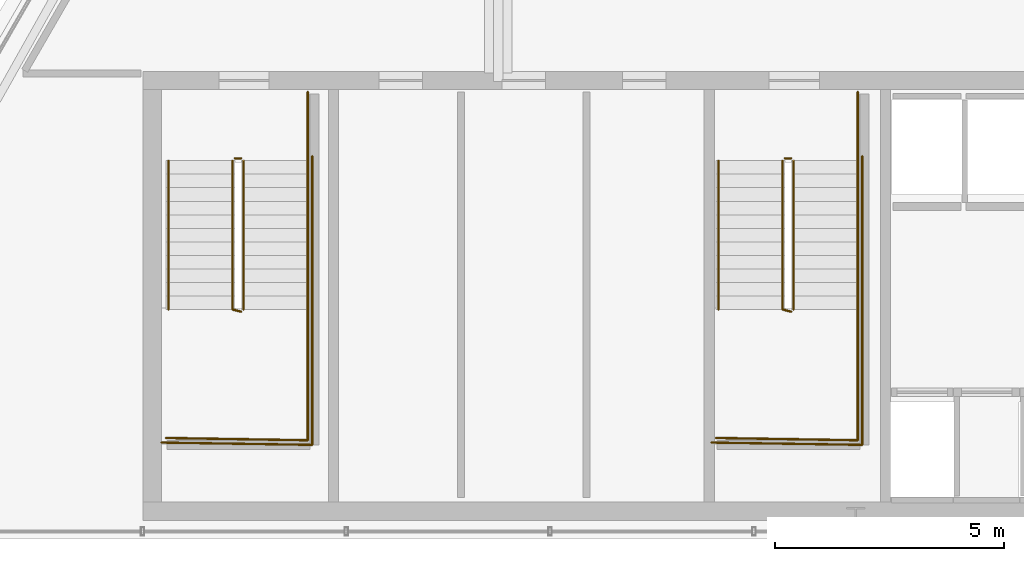
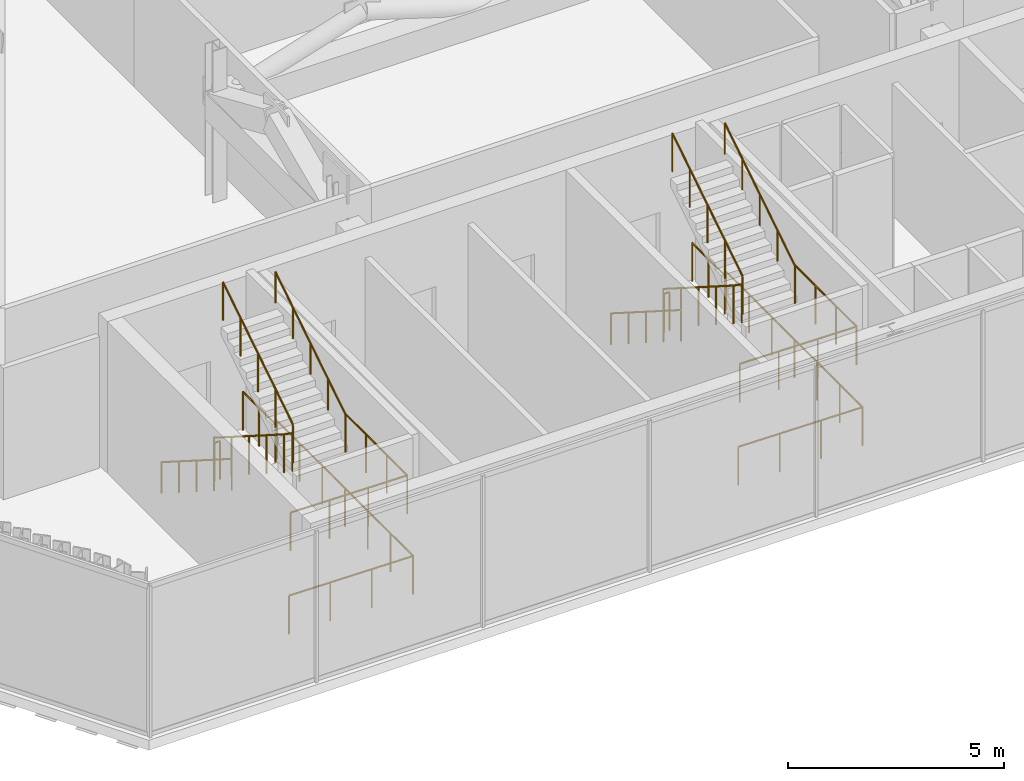
# One storey, part 30 of 32: 16 railings.
"""IFC4 building model written with IfcOpenShell, lengths in metres."""

from ifc_helpers import new_model, si_unit, direction, frame, origin, origin_2d, place, context, subcontext, project, spatial, circle, extrude, material, layer, layer_set, type_object, element, save


model = new_model("IFC4")

# Units and contexts
model_context = context("Model", 3, precision=1e-05, world=origin(), true_north=direction((0.0, 1.0)))
body_context = subcontext(model_context, "Body", "Model", "MODEL_VIEW")
ifc_project = project(units=[si_unit("LENGTHUNIT", "METRE"), si_unit("AREAUNIT", "SQUARE_METRE"), si_unit("VOLUMEUNIT", "CUBIC_METRE"), si_unit("PLANEANGLEUNIT", "RADIAN"), si_unit("MASSUNIT", "GRAM", prefix="KILO")], contexts=[model_context])

# Site, building, storey
site_placement = place(None, origin())
site = spatial("IfcSite", under=ifc_project, at=site_placement, CompositionType="ELEMENT")
building_placement = place(site_placement, origin())
building = spatial("IfcBuilding", under=site, at=building_placement, Name="Ndaravel Arena Tower", CompositionType="ELEMENT")
storey_placement = place(building_placement, frame((0.0, 0.0, 278.800048828125)))
storey = spatial("IfcBuildingStorey", under=building, at=storey_placement, Name="L68", CompositionType="ELEMENT", Elevation=278.800048828125)

# Railings
ifc_material_1 = material(Name="Steel S355", Category="steel")
ifc_layer_1 = layer(ifc_material_1, 0.06005859375)
ifc_layer_set_1 = layer_set([ifc_layer_1], Name="Steel S355")
railing_type_1 = type_object("IfcRailingType", Name="RAIL-STAIR-GD1100", PredefinedType="GUARDRAIL", material=ifc_layer_set_1)
railing_1_placement = place(storey_placement, frame((28.39990234375, 13.25, 0.1875)))
element("IfcRailing", 1, at=railing_1_placement, inside=storey, type_object=railing_type_1, Name="L68 ST-1 stair guard 1", PredefinedType="GUARDRAIL", context=body_context, shape_type="SweptSolid", body=[
    extrude(circle(Radius=0.02392578125, at=origin_2d()), frame((0.0, 0.0, 1.076171875), z_axis=(0.0, -0.843964631203, 0.536398826693), x_axis=(1.0, 0.0, 0.0)), (0.0, 0.0, 1.0), 3.844970703125),
    extrude(circle(Radius=0.02392578125, at=origin_2d()), frame((0.0, -3.2451171875, 3.138671875), z_axis=(0.967379469692, -0.253331722487, 0.0), x_axis=(0.253331722487, 0.967379469692, 0.0)), (0.0, 0.0, 1.0), 0.196533203125),
    extrude(circle(Radius=0.02099609375, at=origin_2d()), origin(), (0.0, 0.0, 1.0), 1.052001953125),
    extrude(circle(Radius=0.02099609375, at=origin_2d()), frame((0.0, -0.811279296875, 0.515625)), (0.0, 0.0, 1.0), 1.052001953125),
    extrude(circle(Radius=0.02099609375, at=origin_2d()), frame((0.0, -1.62255859375, 1.03125)), (0.0, 0.0, 1.0), 1.052001953125),
    extrude(circle(Radius=0.02099609375, at=origin_2d()), frame((0.0, -2.433837890625, 1.546875)), (0.0, 0.0, 1.0), 1.052001953125),
    extrude(circle(Radius=0.02099609375, at=origin_2d()), frame((0.0, -3.2451171875, 2.0625)), (0.0, 0.0, 1.0), 1.052001953125),
    extrude(circle(Radius=0.02099609375, at=origin_2d()), frame((0.190185546875, -3.294921875, 2.0625)), (0.0, 0.0, 1.0), 1.052001953125),
])
railing_2_placement = place(storey_placement, frame((30.0400390625, 10.0048828125, 2.25)))
element("IfcRailing", 2, at=railing_2_placement, inside=storey, type_object=railing_type_1, Name="L68 ST-1 stair guard 2", PredefinedType="GUARDRAIL", context=body_context, shape_type="SweptSolid", body=[
    extrude(circle(Radius=0.02392578125, at=origin_2d()), frame((0.0, 0.0, 1.076171875), z_axis=(0.0, -1.0, 0.0), x_axis=(1.0, 0.0, 0.0)), (0.0, 0.0, 1.0), 2.85498046875),
    extrude(circle(Radius=0.02392578125, at=origin_2d()), frame((0.0, -2.85498046875, 1.076171875), z_axis=(-0.999868861343, 0.016194447071, 0.0), x_axis=(-0.016194447071, -0.999868861343, 0.0)), (0.0, 0.0, 1.0), 3.090576171875),
    extrude(circle(Radius=0.02099609375, at=origin_2d()), origin(), (0.0, 0.0, 1.0), 1.052001953125),
    extrude(circle(Radius=0.02099609375, at=origin_2d()), frame((0.0, -0.95166015625, 0.0)), (0.0, 0.0, 1.0), 1.052001953125),
    extrude(circle(Radius=0.02099609375, at=origin_2d()), frame((0.0, -1.9033203125, 0.0)), (0.0, 0.0, 1.0), 1.052001953125),
    extrude(circle(Radius=0.02099609375, at=origin_2d()), frame((0.0, -2.85498046875, 0.0)), (0.0, 0.0, 1.0), 1.052001953125),
    extrude(circle(Radius=0.02099609375, at=origin_2d()), frame((-1.030029296875, -2.83837890625, 0.0)), (0.0, 0.0, 1.0), 1.052001953125),
    extrude(circle(Radius=0.02099609375, at=origin_2d()), frame((-2.06005859375, -2.821533203125, 0.0)), (0.0, 0.0, 1.0), 1.052001953125),
    extrude(circle(Radius=0.02099609375, at=origin_2d()), frame((-3.090087890625, -2.804931640625, 0.0)), (0.0, 0.0, 1.0), 1.052001953125),
])
railing_3_placement = place(storey_placement, frame((28.639892578125, 10.0048828125, 2.4375)))
element("IfcRailing", 3, at=railing_3_placement, inside=storey, type_object=railing_type_1, Name="L68 ST-1 stair guard 3", PredefinedType="GUARDRAIL", context=body_context, shape_type="SweptSolid", body=[
    extrude(circle(Radius=0.02392578125, at=origin_2d()), frame((0.0, 0.0, 1.076171875), z_axis=(0.0, 0.843964631203, 0.536398826693), x_axis=(-1.0, 0.0, 0.0)), (0.0, 0.0, 1.0), 3.844970703125),
    extrude(circle(Radius=0.02099609375, at=origin_2d()), origin(), (0.0, 0.0, 1.0), 1.052001953125),
    extrude(circle(Radius=0.02099609375, at=origin_2d()), frame((0.0, 0.811279296875, 0.515625)), (0.0, 0.0, 1.0), 1.052001953125),
    extrude(circle(Radius=0.02099609375, at=origin_2d()), frame((0.0, 1.62255859375, 1.03125)), (0.0, 0.0, 1.0), 1.052001953125),
    extrude(circle(Radius=0.02099609375, at=origin_2d()), frame((0.0, 2.433837890625, 1.546875)), (0.0, 0.0, 1.0), 1.052001953125),
    extrude(circle(Radius=0.02099609375, at=origin_2d()), frame((0.0, 3.2451171875, 2.0625)), (0.0, 0.0, 1.0), 1.052001953125),
])
railing_4_placement = place(storey_placement, frame((28.449951171875, 13.300048828125, 0.0)))
element("IfcRailing", 4, at=railing_4_placement, inside=storey, type_object=railing_type_1, Name="L68 ST-1 stair guard 4", PredefinedType="GUARDRAIL", context=body_context, shape_type="SweptSolid", body=[
    extrude(circle(Radius=0.02392578125, at=origin_2d()), frame((0.0, 0.0, 1.076171875), z_axis=(1.0, 0.0, 0.0), x_axis=(0.0, 1.0, 0.0)), (0.0, 0.0, 1.0), 0.14013671875),
    extrude(circle(Radius=0.02099609375, at=origin_2d()), origin(), (0.0, 0.0, 1.0), 1.052001953125),
    extrude(circle(Radius=0.02099609375, at=origin_2d()), frame((0.14013671875, 0.0, 0.0)), (0.0, 0.0, 1.0), 1.052001953125),
])
railing_5_placement = place(storey_placement, frame((30.0400390625, 14.75, 0.0)))
element("IfcRailing", 5, at=railing_5_placement, inside=storey, type_object=railing_type_1, Name="L68 ST-1 stair guard 5", PredefinedType="GUARDRAIL", context=body_context, shape_type="SweptSolid", body=[
    extrude(circle(Radius=0.02392578125, at=origin_2d()), frame((0.0, 0.0, 1.076171875), z_axis=(0.0, -1.0, 0.0), x_axis=(1.0, 0.0, 0.0)), (0.0, 0.0, 1.0), 1.5),
    extrude(circle(Radius=0.02099609375, at=origin_2d()), origin(), (0.0, 0.0, 1.0), 1.052001953125),
    extrude(circle(Radius=0.02099609375, at=origin_2d()), frame((0.0, -0.75, 0.0)), (0.0, 0.0, 1.0), 1.052001953125),
    extrude(circle(Radius=0.02099609375, at=origin_2d()), frame((0.0, -1.5, 0.0)), (0.0, 0.0, 1.0), 1.052001953125),
])
railing_6_placement = place(storey_placement, frame((30.139892578125, 13.35009765625, 0.0)))
element("IfcRailing", 6, at=railing_6_placement, inside=storey, type_object=railing_type_1, Name="L68 ST-1 stair guard 6", PredefinedType="GUARDRAIL", context=body_context, shape_type="SweptSolid", body=[
    extrude(circle(Radius=0.02392578125, at=origin_2d()), frame((0.0, 0.0, 1.076171875), z_axis=(0.0, -1.0, 0.0), x_axis=(1.0, 0.0, 0.0)), (0.0, 0.0, 1.0), 6.300048828125),
    extrude(circle(Radius=0.02392578125, at=origin_2d()), frame((0.0, -6.300048828125, 1.076171875), z_axis=(-0.999884296952, 0.015211597839, 0.0), x_axis=(-0.015211597839, -0.999884296952, 0.0)), (0.0, 0.0, 1.0), 3.290283203125),
    extrude(circle(Radius=0.02099609375, at=origin_2d()), origin(), (0.0, 0.0, 1.0), 1.052001953125),
    extrude(circle(Radius=0.02099609375, at=origin_2d()), frame((0.0, -1.050048828125, 0.0)), (0.0, 0.0, 1.0), 1.052001953125),
    extrude(circle(Radius=0.02099609375, at=origin_2d()), frame((0.0, -2.10009765625, 0.0)), (0.0, 0.0, 1.0), 1.052001953125),
    extrude(circle(Radius=0.02099609375, at=origin_2d()), frame((0.0, -3.14990234375, 0.0)), (0.0, 0.0, 1.0), 1.052001953125),
    extrude(circle(Radius=0.02099609375, at=origin_2d()), frame((0.0, -4.199951171875, 0.0)), (0.0, 0.0, 1.0), 1.052001953125),
    extrude(circle(Radius=0.02099609375, at=origin_2d()), frame((0.0, -5.25, 0.0)), (0.0, 0.0, 1.0), 1.052001953125),
    extrude(circle(Radius=0.02099609375, at=origin_2d()), frame((0.0, -6.300048828125, 0.0)), (0.0, 0.0, 1.0), 1.052001953125),
    extrude(circle(Radius=0.02099609375, at=origin_2d()), frame((-1.0966796875, -6.283447265625, 0.0)), (0.0, 0.0, 1.0), 1.052001953125),
    extrude(circle(Radius=0.02099609375, at=origin_2d()), frame((-2.193115234375, -6.2666015625, 0.0)), (0.0, 0.0, 1.0), 1.052001953125),
    extrude(circle(Radius=0.02099609375, at=origin_2d()), frame((-3.289794921875, -6.25, 0.0)), (0.0, 0.0, 1.0), 1.052001953125),
])
railing_7_placement = place(storey_placement, frame((40.39990234375, 13.25, 0.1875)))
element("IfcRailing", 7, at=railing_7_placement, inside=storey, type_object=railing_type_1, Name="L68 ST-2 stair guard 1", PredefinedType="GUARDRAIL", context=body_context, shape_type="SweptSolid", body=[
    extrude(circle(Radius=0.02392578125, at=origin_2d()), frame((0.0, 0.0, 1.076171875), z_axis=(0.0, -0.843964631203, 0.536398826693), x_axis=(1.0, 0.0, 0.0)), (0.0, 0.0, 1.0), 3.844970703125),
    extrude(circle(Radius=0.02392578125, at=origin_2d()), frame((0.0, -3.2451171875, 3.138671875), z_axis=(0.967379469692, -0.253331722487, 0.0), x_axis=(0.253331722487, 0.967379469692, 0.0)), (0.0, 0.0, 1.0), 0.196533203125),
    extrude(circle(Radius=0.02099609375, at=origin_2d()), origin(), (0.0, 0.0, 1.0), 1.052001953125),
    extrude(circle(Radius=0.02099609375, at=origin_2d()), frame((0.0, -0.811279296875, 0.515625)), (0.0, 0.0, 1.0), 1.052001953125),
    extrude(circle(Radius=0.02099609375, at=origin_2d()), frame((0.0, -1.62255859375, 1.03125)), (0.0, 0.0, 1.0), 1.052001953125),
    extrude(circle(Radius=0.02099609375, at=origin_2d()), frame((0.0, -2.433837890625, 1.546875)), (0.0, 0.0, 1.0), 1.052001953125),
    extrude(circle(Radius=0.02099609375, at=origin_2d()), frame((0.0, -3.2451171875, 2.0625)), (0.0, 0.0, 1.0), 1.052001953125),
    extrude(circle(Radius=0.02099609375, at=origin_2d()), frame((0.190185546875, -3.294921875, 2.0625)), (0.0, 0.0, 1.0), 1.052001953125),
])
railing_8_placement = place(storey_placement, frame((42.0400390625, 10.0048828125, 2.25)))
element("IfcRailing", 8, at=railing_8_placement, inside=storey, type_object=railing_type_1, Name="L68 ST-2 stair guard 2", PredefinedType="GUARDRAIL", context=body_context, shape_type="SweptSolid", body=[
    extrude(circle(Radius=0.02392578125, at=origin_2d()), frame((0.0, 0.0, 1.076171875), z_axis=(0.0, -1.0, 0.0), x_axis=(1.0, 0.0, 0.0)), (0.0, 0.0, 1.0), 2.85498046875),
    extrude(circle(Radius=0.02392578125, at=origin_2d()), frame((0.0, -2.85498046875, 1.076171875), z_axis=(-0.999868861343, 0.016194447071, 0.0), x_axis=(-0.016194447071, -0.999868861343, 0.0)), (0.0, 0.0, 1.0), 3.090576171875),
    extrude(circle(Radius=0.02099609375, at=origin_2d()), origin(), (0.0, 0.0, 1.0), 1.052001953125),
    extrude(circle(Radius=0.02099609375, at=origin_2d()), frame((0.0, -0.95166015625, 0.0)), (0.0, 0.0, 1.0), 1.052001953125),
    extrude(circle(Radius=0.02099609375, at=origin_2d()), frame((0.0, -1.9033203125, 0.0)), (0.0, 0.0, 1.0), 1.052001953125),
    extrude(circle(Radius=0.02099609375, at=origin_2d()), frame((0.0, -2.85498046875, 0.0)), (0.0, 0.0, 1.0), 1.052001953125),
    extrude(circle(Radius=0.02099609375, at=origin_2d()), frame((-1.030029296875, -2.83837890625, 0.0)), (0.0, 0.0, 1.0), 1.052001953125),
    extrude(circle(Radius=0.02099609375, at=origin_2d()), frame((-2.06005859375, -2.821533203125, 0.0)), (0.0, 0.0, 1.0), 1.052001953125),
    extrude(circle(Radius=0.02099609375, at=origin_2d()), frame((-3.090087890625, -2.804931640625, 0.0)), (0.0, 0.0, 1.0), 1.052001953125),
])
railing_9_placement = place(storey_placement, frame((40.639892578125, 10.0048828125, 2.4375)))
element("IfcRailing", 9, at=railing_9_placement, inside=storey, type_object=railing_type_1, Name="L68 ST-2 stair guard 3", PredefinedType="GUARDRAIL", context=body_context, shape_type="SweptSolid", body=[
    extrude(circle(Radius=0.02392578125, at=origin_2d()), frame((0.0, 0.0, 1.076171875), z_axis=(0.0, 0.843964631203, 0.536398826693), x_axis=(-1.0, 0.0, 0.0)), (0.0, 0.0, 1.0), 3.844970703125),
    extrude(circle(Radius=0.02099609375, at=origin_2d()), origin(), (0.0, 0.0, 1.0), 1.052001953125),
    extrude(circle(Radius=0.02099609375, at=origin_2d()), frame((0.0, 0.811279296875, 0.515625)), (0.0, 0.0, 1.0), 1.052001953125),
    extrude(circle(Radius=0.02099609375, at=origin_2d()), frame((0.0, 1.62255859375, 1.03125)), (0.0, 0.0, 1.0), 1.052001953125),
    extrude(circle(Radius=0.02099609375, at=origin_2d()), frame((0.0, 2.433837890625, 1.546875)), (0.0, 0.0, 1.0), 1.052001953125),
    extrude(circle(Radius=0.02099609375, at=origin_2d()), frame((0.0, 3.2451171875, 2.0625)), (0.0, 0.0, 1.0), 1.052001953125),
])
railing_10_placement = place(storey_placement, frame((40.449951171875, 13.300048828125, 0.0)))
element("IfcRailing", 10, at=railing_10_placement, inside=storey, type_object=railing_type_1, Name="L68 ST-2 stair guard 4", PredefinedType="GUARDRAIL", context=body_context, shape_type="SweptSolid", body=[
    extrude(circle(Radius=0.02392578125, at=origin_2d()), frame((0.0, 0.0, 1.076171875), z_axis=(1.0, 0.0, 0.0), x_axis=(0.0, 1.0, 0.0)), (0.0, 0.0, 1.0), 0.14013671875),
    extrude(circle(Radius=0.02099609375, at=origin_2d()), origin(), (0.0, 0.0, 1.0), 1.052001953125),
    extrude(circle(Radius=0.02099609375, at=origin_2d()), frame((0.14013671875, 0.0, 0.0)), (0.0, 0.0, 1.0), 1.052001953125),
])
railing_11_placement = place(storey_placement, frame((42.0400390625, 14.75, 0.0)))
element("IfcRailing", 11, at=railing_11_placement, inside=storey, type_object=railing_type_1, Name="L68 ST-2 stair guard 5", PredefinedType="GUARDRAIL", context=body_context, shape_type="SweptSolid", body=[
    extrude(circle(Radius=0.02392578125, at=origin_2d()), frame((0.0, 0.0, 1.076171875), z_axis=(0.0, -1.0, 0.0), x_axis=(1.0, 0.0, 0.0)), (0.0, 0.0, 1.0), 1.5),
    extrude(circle(Radius=0.02099609375, at=origin_2d()), origin(), (0.0, 0.0, 1.0), 1.052001953125),
    extrude(circle(Radius=0.02099609375, at=origin_2d()), frame((0.0, -0.75, 0.0)), (0.0, 0.0, 1.0), 1.052001953125),
    extrude(circle(Radius=0.02099609375, at=origin_2d()), frame((0.0, -1.5, 0.0)), (0.0, 0.0, 1.0), 1.052001953125),
])
railing_12_placement = place(storey_placement, frame((42.139892578125, 13.35009765625, 0.0)))
element("IfcRailing", 12, at=railing_12_placement, inside=storey, type_object=railing_type_1, Name="L68 ST-2 stair guard 6", PredefinedType="GUARDRAIL", context=body_context, shape_type="SweptSolid", body=[
    extrude(circle(Radius=0.02392578125, at=origin_2d()), frame((0.0, 0.0, 1.076171875), z_axis=(0.0, -1.0, 0.0), x_axis=(1.0, 0.0, 0.0)), (0.0, 0.0, 1.0), 6.300048828125),
    extrude(circle(Radius=0.02392578125, at=origin_2d()), frame((0.0, -6.300048828125, 1.076171875), z_axis=(-0.999884296952, 0.015211597839, 0.0), x_axis=(-0.015211597839, -0.999884296952, 0.0)), (0.0, 0.0, 1.0), 3.290283203125),
    extrude(circle(Radius=0.02099609375, at=origin_2d()), origin(), (0.0, 0.0, 1.0), 1.052001953125),
    extrude(circle(Radius=0.02099609375, at=origin_2d()), frame((0.0, -1.050048828125, 0.0)), (0.0, 0.0, 1.0), 1.052001953125),
    extrude(circle(Radius=0.02099609375, at=origin_2d()), frame((0.0, -2.10009765625, 0.0)), (0.0, 0.0, 1.0), 1.052001953125),
    extrude(circle(Radius=0.02099609375, at=origin_2d()), frame((0.0, -3.14990234375, 0.0)), (0.0, 0.0, 1.0), 1.052001953125),
    extrude(circle(Radius=0.02099609375, at=origin_2d()), frame((0.0, -4.199951171875, 0.0)), (0.0, 0.0, 1.0), 1.052001953125),
    extrude(circle(Radius=0.02099609375, at=origin_2d()), frame((0.0, -5.25, 0.0)), (0.0, 0.0, 1.0), 1.052001953125),
    extrude(circle(Radius=0.02099609375, at=origin_2d()), frame((0.0, -6.300048828125, 0.0)), (0.0, 0.0, 1.0), 1.052001953125),
    extrude(circle(Radius=0.02099609375, at=origin_2d()), frame((-1.0966796875, -6.283447265625, 0.0)), (0.0, 0.0, 1.0), 1.052001953125),
    extrude(circle(Radius=0.02099609375, at=origin_2d()), frame((-2.193115234375, -6.2666015625, 0.0)), (0.0, 0.0, 1.0), 1.052001953125),
    extrude(circle(Radius=0.02099609375, at=origin_2d()), frame((-3.289794921875, -6.25, 0.0)), (0.0, 0.0, 1.0), 1.052001953125),
])
ifc_material_2 = material(Name="Steel S355", Category="steel")
ifc_layer_2 = layer(ifc_material_2, 0.050048828125)
ifc_layer_set_2 = layer_set([ifc_layer_2], Name="Steel S355")
railing_type_2 = type_object("IfcRailingType", Name="RAIL-STAIR-HR920", PredefinedType="HANDRAIL", material=ifc_layer_set_2)
railing_13_placement = place(storey_placement, frame((27.0, 13.25, 0.1875)))
element("IfcRailing", 13, at=railing_13_placement, inside=storey, type_object=railing_type_2, Name="L68 ST-1 stair handrail 1", PredefinedType="HANDRAIL", context=body_context, shape_type="SweptSolid", body=[
    extrude(circle(Radius=0.02392578125, at=origin_2d()), frame((0.0, 0.0, 0.8759765625), z_axis=(0.0, -0.843964631203, 0.536398826693), x_axis=(1.0, 0.0, 0.0)), (0.0, 0.0, 1.0), 3.844970703125),
    extrude(circle(Radius=0.02099609375, at=origin_2d()), origin(), (0.0, 0.0, 1.0), 0.851806640625),
    extrude(circle(Radius=0.02099609375, at=origin_2d()), frame((0.0, -0.811279296875, 0.515625)), (0.0, 0.0, 1.0), 0.851806640625),
    extrude(circle(Radius=0.02099609375, at=origin_2d()), frame((0.0, -1.62255859375, 1.03125)), (0.0, 0.0, 1.0), 0.851806640625),
    extrude(circle(Radius=0.02099609375, at=origin_2d()), frame((0.0, -2.433837890625, 1.546875)), (0.0, 0.0, 1.0), 0.851806640625),
    extrude(circle(Radius=0.02099609375, at=origin_2d()), frame((0.0, -3.2451171875, 2.0625)), (0.0, 0.0, 1.0), 0.851806640625),
])
railing_14_placement = place(storey_placement, frame((30.0400390625, 10.0048828125, 2.4375)))
element("IfcRailing", 14, at=railing_14_placement, inside=storey, type_object=railing_type_2, Name="L68 ST-1 stair handrail 2", PredefinedType="HANDRAIL", context=body_context, shape_type="SweptSolid", body=[
    extrude(circle(Radius=0.02392578125, at=origin_2d()), frame((0.0, 0.0, 0.8759765625), z_axis=(0.0, 0.843964631203, 0.536398826693), x_axis=(-1.0, 0.0, 0.0)), (0.0, 0.0, 1.0), 3.844970703125),
    extrude(circle(Radius=0.02099609375, at=origin_2d()), origin(), (0.0, 0.0, 1.0), 0.851806640625),
    extrude(circle(Radius=0.02099609375, at=origin_2d()), frame((0.0, 0.811279296875, 0.515625)), (0.0, 0.0, 1.0), 0.851806640625),
    extrude(circle(Radius=0.02099609375, at=origin_2d()), frame((0.0, 1.62255859375, 1.03125)), (0.0, 0.0, 1.0), 0.851806640625),
    extrude(circle(Radius=0.02099609375, at=origin_2d()), frame((0.0, 2.433837890625, 1.546875)), (0.0, 0.0, 1.0), 0.851806640625),
    extrude(circle(Radius=0.02099609375, at=origin_2d()), frame((0.0, 3.2451171875, 2.0625)), (0.0, 0.0, 1.0), 0.851806640625),
])
railing_15_placement = place(storey_placement, frame((39.0, 13.25, 0.1875)))
element("IfcRailing", 15, at=railing_15_placement, inside=storey, type_object=railing_type_2, Name="L68 ST-2 stair handrail 1", PredefinedType="HANDRAIL", context=body_context, shape_type="SweptSolid", body=[
    extrude(circle(Radius=0.02392578125, at=origin_2d()), frame((0.0, 0.0, 0.8759765625), z_axis=(0.0, -0.843964631203, 0.536398826693), x_axis=(1.0, 0.0, 0.0)), (0.0, 0.0, 1.0), 3.844970703125),
    extrude(circle(Radius=0.02099609375, at=origin_2d()), origin(), (0.0, 0.0, 1.0), 0.851806640625),
    extrude(circle(Radius=0.02099609375, at=origin_2d()), frame((0.0, -0.811279296875, 0.515625)), (0.0, 0.0, 1.0), 0.851806640625),
    extrude(circle(Radius=0.02099609375, at=origin_2d()), frame((0.0, -1.62255859375, 1.03125)), (0.0, 0.0, 1.0), 0.851806640625),
    extrude(circle(Radius=0.02099609375, at=origin_2d()), frame((0.0, -2.433837890625, 1.546875)), (0.0, 0.0, 1.0), 0.851806640625),
    extrude(circle(Radius=0.02099609375, at=origin_2d()), frame((0.0, -3.2451171875, 2.0625)), (0.0, 0.0, 1.0), 0.851806640625),
])
railing_16_placement = place(storey_placement, frame((42.0400390625, 10.0048828125, 2.4375)))
element("IfcRailing", 16, at=railing_16_placement, inside=storey, type_object=railing_type_2, Name="L68 ST-2 stair handrail 2", PredefinedType="HANDRAIL", context=body_context, shape_type="SweptSolid", body=[
    extrude(circle(Radius=0.02392578125, at=origin_2d()), frame((0.0, 0.0, 0.8759765625), z_axis=(0.0, 0.843964631203, 0.536398826693), x_axis=(-1.0, 0.0, 0.0)), (0.0, 0.0, 1.0), 3.844970703125),
    extrude(circle(Radius=0.02099609375, at=origin_2d()), origin(), (0.0, 0.0, 1.0), 0.851806640625),
    extrude(circle(Radius=0.02099609375, at=origin_2d()), frame((0.0, 0.811279296875, 0.515625)), (0.0, 0.0, 1.0), 0.851806640625),
    extrude(circle(Radius=0.02099609375, at=origin_2d()), frame((0.0, 1.62255859375, 1.03125)), (0.0, 0.0, 1.0), 0.851806640625),
    extrude(circle(Radius=0.02099609375, at=origin_2d()), frame((0.0, 2.433837890625, 1.546875)), (0.0, 0.0, 1.0), 0.851806640625),
    extrude(circle(Radius=0.02099609375, at=origin_2d()), frame((0.0, 3.2451171875, 2.0625)), (0.0, 0.0, 1.0), 0.851806640625),
])

save(model, "model.ifc")
